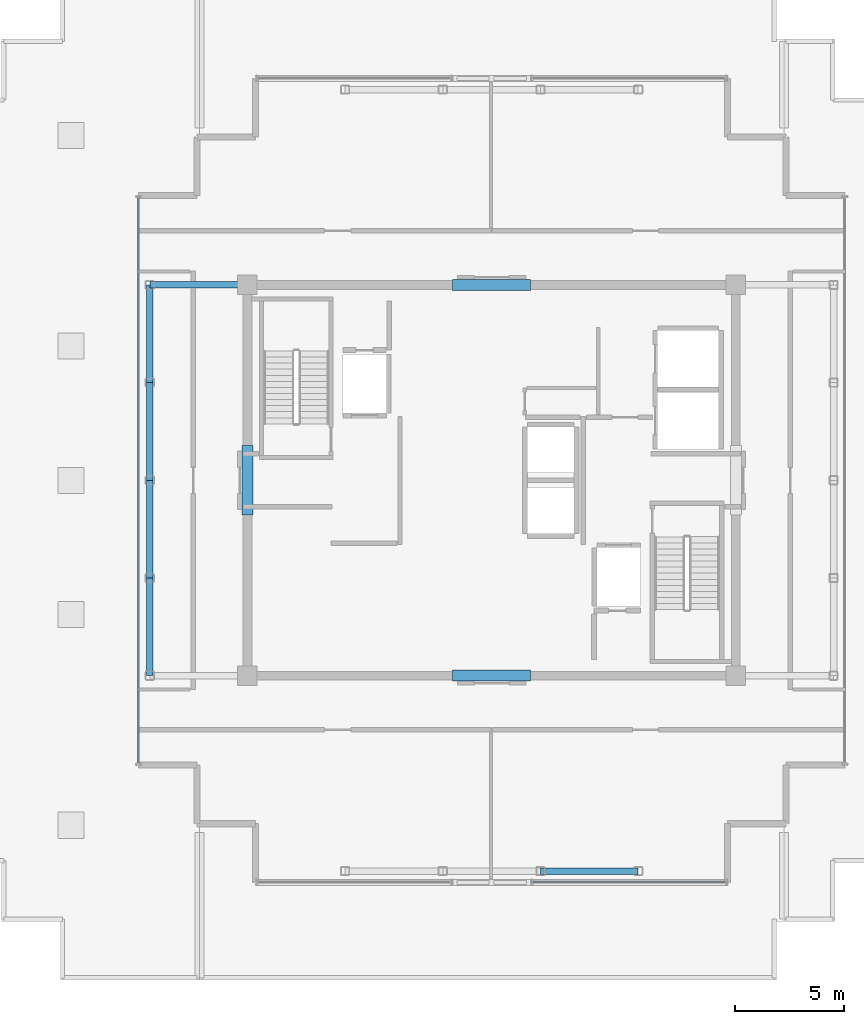
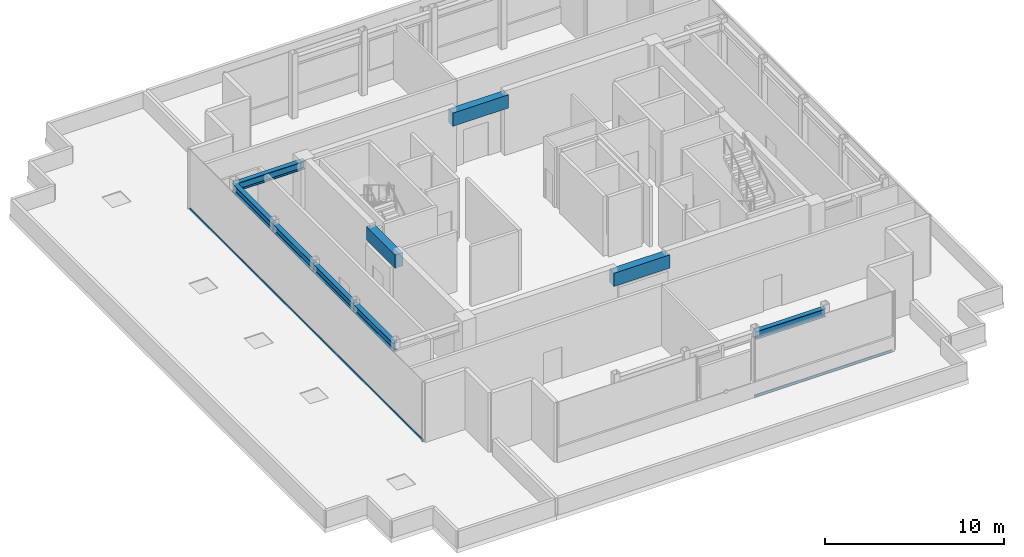
# One storey, part 3 of 14: 9 beams, 2 members, 2 elements without a shape of their own.
"""IFC4 building model written with IfcOpenShell, lengths in metres."""

from ifc_helpers import new_model, si_unit, direction, frame, origin, origin_2d, place, context, subcontext, project, spatial, rectangle, hollow_rectangle, i_section, extrude, source, transform, mapped, material, layer, layer_set, material_profile, profile_set, type_object, element, aggregate, save


model = new_model("IFC4")

# Units and contexts
model_context = context("Model", 3, precision=1e-05, world=origin(), true_north=direction((0.0, 1.0)))
body_context = subcontext(model_context, "Body", "Model", "MODEL_VIEW")
ifc_project = project(units=[si_unit("LENGTHUNIT", "METRE"), si_unit("AREAUNIT", "SQUARE_METRE"), si_unit("VOLUMEUNIT", "CUBIC_METRE"), si_unit("PLANEANGLEUNIT", "RADIAN"), si_unit("MASSUNIT", "GRAM", prefix="KILO")], contexts=[model_context])

# Site, building, storey
site_placement = place(None, origin())
site = spatial("IfcSite", under=ifc_project, at=site_placement, CompositionType="ELEMENT")
building_placement = place(site_placement, origin())
building = spatial("IfcBuilding", under=site, at=building_placement, Name="Nefas-Gora Pilgrimage Tower", CompositionType="ELEMENT")
storey_placement = place(building_placement, frame((0.0, 0.0, 358.60009765625)))
storey = spatial("IfcBuildingStorey", under=building, at=storey_placement, Name="L90", CompositionType="ELEMENT", Elevation=358.60009765625)

# Beams
ifc_material_1 = material(Name="Concrete C50/60", Category="concrete")
ifc_material_profile_1 = material_profile(ifc_material_1, rectangle(XDim=0.5, YDim=0.89990234375, at=origin_2d()), Name="RC 500x900")
ifc_profile_set_1 = profile_set([ifc_material_profile_1], Name="Concrete C50/60")
beam_type_1 = type_object("IfcBeamType", Name="BM-LIN-RC900", PredefinedType="LINTEL", material=ifc_profile_set_1)
shared_shape_1 = source(origin(), body_context, "Body", "SweptSolid", [
    extrude(rectangle(XDim=0.5, YDim=0.89990234375, at=origin_2d()), origin(), (0.0, 0.0, 1.0), 3.60009765625),
])
for number, where, z_axis, x_axis, name in (
    (1, (-1.800048828125, 9.0, 3.64990234375), (1.0, 0.0, 0.0), (0.0, 1.0, 0.0), "L90 Core Coupling Lintel Beam N"),
    (2, (-1.800048828125, -9.0, 3.64990234375), (1.0, 0.0, 0.0), (0.0, 1.0, 0.0), "L90 Core Coupling Lintel Beam S"),
):
    element("IfcBeam", number, at=place(storey_placement, frame(where, z_axis=z_axis, x_axis=x_axis)), inside=storey, type_object=beam_type_1, Name=name, PredefinedType="LINTEL", context=body_context, shape_type="MappedRepresentation", body=[
        mapped(shared_shape_1, transform((0.0, 0.0, 0.0), x_axis=(1.0, 0.0, 0.0), y_axis=(0.0, 1.0, 0.0), z_axis=(0.0, 0.0, 1.0), scale=1.0)),
    ])
shared_shape_2 = source(origin(), body_context, "Body", "SweptSolid", [
    extrude(rectangle(XDim=0.5, YDim=0.89990234375, at=origin_2d()), origin(), (0.0, 0.0, 1.0), 3.2001953125),
])
beam_1_placement = place(storey_placement, frame((-11.25, -1.60009765625, 3.64990234375), z_axis=(0.0, 1.0, 0.0), x_axis=(-1.0, 0.0, 0.0)))
element("IfcBeam", 3, at=beam_1_placement, inside=storey, type_object=beam_type_1, Name="L90 Core Coupling Lintel Beam W", PredefinedType="LINTEL", context=body_context, shape_type="MappedRepresentation", body=[
    mapped(shared_shape_2, transform((0.0, 0.0, 0.0), x_axis=(1.0, 0.0, 0.0), y_axis=(0.0, 1.0, 0.0), z_axis=(0.0, 0.0, 1.0), scale=1.0)),
])
ifc_material_2 = material(Name="Steel S355", Category="steel")
ifc_material_profile_2 = material_profile(ifc_material_2, i_section(OverallWidth=0.300048828125, OverallDepth=0.550048828125, WebThickness=0.014892578125, FlangeThickness=0.029052734375, FilletRadius=0.027099609375, at=origin_2d()), Name="HEB 550")
ifc_profile_set_2 = profile_set([ifc_material_profile_2], Name="Steel S355")
beam_type_2 = type_object("IfcBeamType", Name="BM-SPN-HEB400", PredefinedType="SPANDREL", material=ifc_profile_set_2)
shared_shape_3 = source(origin(), body_context, "Body", "SweptSolid", [
    extrude(i_section(OverallWidth=0.300048828125, OverallDepth=0.550048828125, WebThickness=0.014892578125, FlangeThickness=0.029052734375, FilletRadius=0.027099609375, at=origin_2d()), origin(), (0.0, 0.0, 1.0), 4.5),
])
for number, where, z_axis, x_axis, name in (
    (4, (-15.75, -9.0, 3.824951171875), (0.0, 1.0, 0.0), (-1.0, 0.0, 0.0), "L90 SP-04 beam"),
    (5, (-15.75, -4.5, 3.824951171875), (0.0, 1.0, 0.0), (-1.0, 0.0, 0.0), "L90 SP-04 beam"),
    (6, (-15.75, 0.0, 3.824951171875), (0.0, 1.0, 0.0), (-1.0, 0.0, 0.0), "L90 SP-04 beam"),
    (7, (-15.75, 4.5, 3.824951171875), (0.0, 1.0, 0.0), (-1.0, 0.0, 0.0), "L90 SP-04 beam"),
    (8, (2.25, -18.0, 3.824951171875), (1.0, 0.0, 0.0), (0.0, 1.0, 0.0), "L90 SP-04 beam"),
):
    element("IfcBeam", number, at=place(storey_placement, frame(where, z_axis=z_axis, x_axis=x_axis)), inside=storey, type_object=beam_type_2, Name=name, PredefinedType="SPANDREL", context=body_context, shape_type="MappedRepresentation", body=[
        mapped(shared_shape_3, transform((0.0, 0.0, 0.0), x_axis=(1.0, 0.0, 0.0), y_axis=(0.0, 1.0, 0.0), z_axis=(0.0, 0.0, 1.0), scale=1.0)),
    ])
ifc_material_profile_3 = material_profile(ifc_material_2, i_section(OverallWidth=0.300048828125, OverallDepth=0.550048828125, WebThickness=0.014892578125, FlangeThickness=0.029052734375, FilletRadius=0.027099609375, at=origin_2d()), Name="HEB 550")
ifc_profile_set_3 = profile_set([ifc_material_profile_3], Name="Steel S355")
beam_type_3 = type_object("IfcBeamType", Name="BM-GIR-HEB550", PredefinedType="BEAM", material=ifc_profile_set_3)
shared_shape_4 = source(origin(), body_context, "Body", "SweptSolid", [
    extrude(i_section(OverallWidth=0.300048828125, OverallDepth=0.550048828125, WebThickness=0.014892578125, FlangeThickness=0.029052734375, FilletRadius=0.027099609375, at=origin_2d()), origin(), (0.0, 0.0, 1.0), 4.5),
])
beam_2_placement = place(storey_placement, frame((-15.75, 9.0, 3.824951171875), z_axis=(1.0, 0.0, 0.0), x_axis=(0.0, 1.0, 0.0)))
element("IfcBeam", 9, at=beam_2_placement, inside=storey, type_object=beam_type_3, Name="L90 G-05 beam", PredefinedType="BEAM", context=body_context, shape_type="MappedRepresentation", body=[
    mapped(shared_shape_4, transform((0.0, 0.0, 0.0), x_axis=(1.0, 0.0, 0.0), y_axis=(0.0, 1.0, 0.0), z_axis=(0.0, 0.0, 1.0), scale=1.0)),
])

# Curtain wall, member
ifc_material_3 = material(Name="Dark ceramic-fritted solar-control aluminium-glass curtain wall", Category="aluminium")
ifc_layer = layer(ifc_material_3, 0.219970703125)
ifc_layer_set = layer_set([ifc_layer], Name="Dark ceramic-fritted solar-control aluminium-glass curtain wall")
curtain_wall_type = type_object("IfcCurtainWallType", Name="CW-SYS-6", PredefinedType="NOTDEFINED", material=ifc_layer_set)
curtain_wall_1_placement = place(storey_placement, origin())
curtain_wall_1 = element("IfcCurtainWall", 10, at=curtain_wall_1_placement, inside=storey, type_object=curtain_wall_type, Name="L90 Unitised Curtain Wall CW6", PredefinedType="NOTDEFINED")
ifc_material_4 = material(Name="Anodised architectural aluminium", Category="aluminium")
ifc_material_profile_4 = material_profile(ifc_material_4, hollow_rectangle(XDim=0.080078125, YDim=0.159912109375, WallThickness=0.00439453125, InnerFilletRadius=0.00439453125, OuterFilletRadius=0.009033203125, at=origin_2d()), Name="ALU TRANSOM 80x160")
ifc_profile_set_4 = profile_set([ifc_material_profile_4], Name="Anodised architectural aluminium")
member_type = type_object("IfcMemberType", Name="CWM-TRN-6", PredefinedType="USERDEFINED", material=ifc_profile_set_4)
shared_shape_5 = source(origin(), body_context, "Body", "SweptSolid", [
    extrude(hollow_rectangle(XDim=0.080078125, YDim=0.159912109375, WallThickness=0.00439453125, InnerFilletRadius=0.00439453125, OuterFilletRadius=0.009033203125, at=origin_2d()), origin(), (0.0, 0.0, 1.0), 8.89013671875),
])
member_1_placement = place(storey_placement, frame((1.889892578125, -18.52001953125, 0.0498046875), z_axis=(1.0, 0.0, 0.0), x_axis=(0.0, 1.0, 0.0)))
member_1 = element("IfcMember", 11, at=member_1_placement, type_object=member_type, Name="CW6 Spandrel Transom", ObjectType="TRANSOM", PredefinedType="USERDEFINED", context=body_context, shape_type="MappedRepresentation", body=[
    mapped(shared_shape_5, transform((0.0, 0.0, 0.0), x_axis=(1.0, 0.0, 0.0), y_axis=(0.0, 1.0, 0.0), z_axis=(0.0, 0.0, 1.0), scale=1.0)),
])
aggregate(curtain_wall_1, [member_1])

curtain_wall_2_placement = place(storey_placement, origin())
curtain_wall_2 = element("IfcCurtainWall", 12, at=curtain_wall_2_placement, inside=storey, type_object=curtain_wall_type, Name="L90 Unitised Curtain Wall CW6", PredefinedType="NOTDEFINED")
shared_shape_6 = source(origin(), body_context, "Body", "SweptSolid", [
    extrude(hollow_rectangle(XDim=0.080078125, YDim=0.159912109375, WallThickness=0.00439453125, InnerFilletRadius=0.00439453125, OuterFilletRadius=0.009033203125, at=origin_2d()), origin(), (0.0, 0.0, 1.0), 26.06005859375),
])
member_2_placement = place(storey_placement, frame((-16.27001953125, 13.030029296875, 0.0498046875), z_axis=(0.0, -1.0, 0.0), x_axis=(1.0, 0.0, 0.0)))
member_2 = element("IfcMember", 13, at=member_2_placement, type_object=member_type, Name="CW6 Spandrel Transom", ObjectType="TRANSOM", PredefinedType="USERDEFINED", context=body_context, shape_type="MappedRepresentation", body=[
    mapped(shared_shape_6, transform((0.0, 0.0, 0.0), x_axis=(1.0, 0.0, 0.0), y_axis=(0.0, 1.0, 0.0), z_axis=(0.0, 0.0, 1.0), scale=1.0)),
])
aggregate(curtain_wall_2, [member_2])

save(model, "model.ifc")
